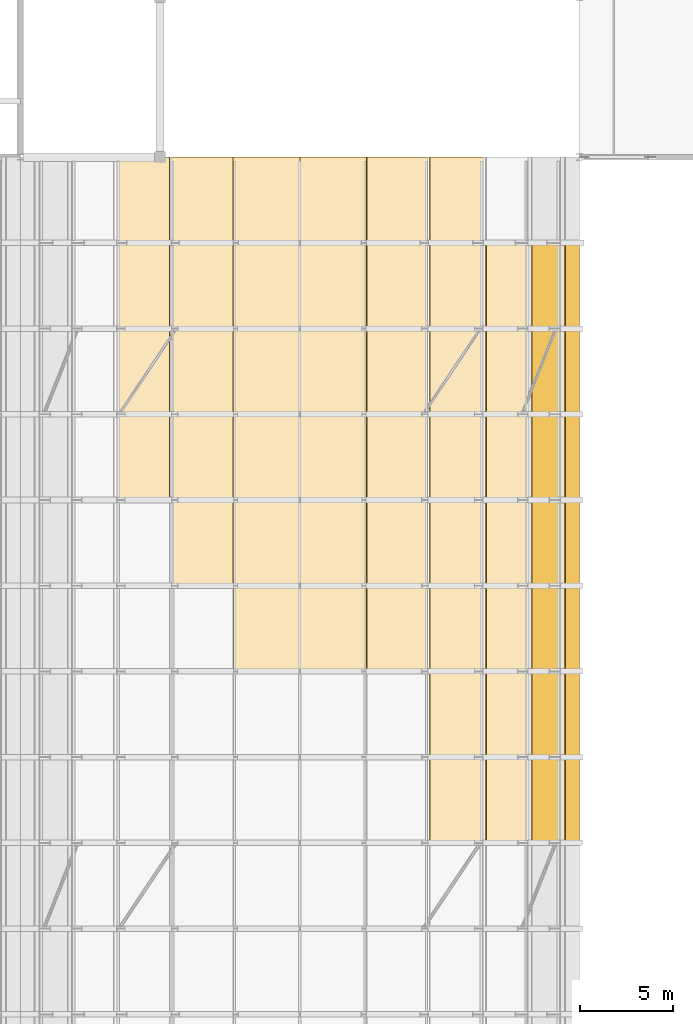
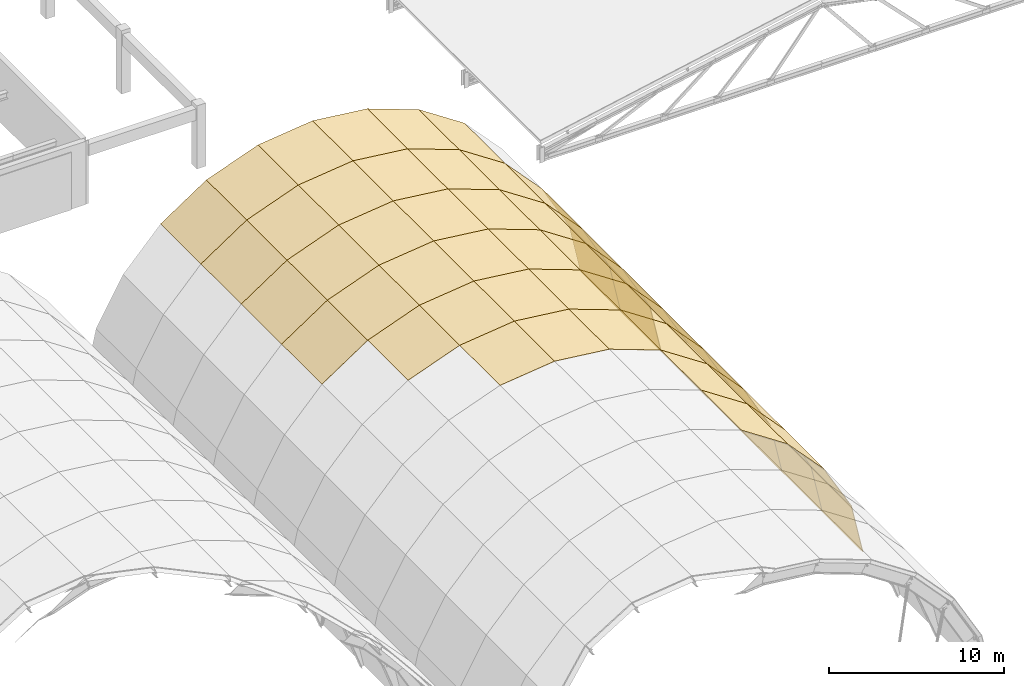
# One storey, part 46 of 47: 56 coverings.
"""IFC4 building model written with IfcOpenShell, lengths in metres."""

from ifc_helpers import new_model, si_unit, direction, frame, origin, place, context, subcontext, project, spatial, polyline, outline, extrude, material, layer, layer_set, type_object, element, save


model = new_model("IFC4")

# Units and contexts
model_context = context("Model", 3, precision=1e-05, world=origin(), true_north=direction((0.0, 1.0)))
body_context = subcontext(model_context, "Body", "Model", "MODEL_VIEW")
ifc_project = project(units=[si_unit("LENGTHUNIT", "METRE"), si_unit("AREAUNIT", "SQUARE_METRE"), si_unit("VOLUMEUNIT", "CUBIC_METRE"), si_unit("PLANEANGLEUNIT", "RADIAN"), si_unit("MASSUNIT", "GRAM", prefix="KILO")], contexts=[model_context])

# Site, building, storey
site_placement = place(None, origin())
site = spatial("IfcSite", under=ifc_project, at=site_placement, CompositionType="ELEMENT")
building_placement = place(site_placement, origin())
building = spatial("IfcBuilding", under=site, at=building_placement, Name="Muzn Square Opera House", CompositionType="ELEMENT")
storey_placement = place(building_placement, frame((0.0, 0.0, 31.0)))
storey = spatial("IfcBuildingStorey", under=building, at=storey_placement, Name="RF-1", CompositionType="ELEMENT", Elevation=31.0)

# Coverings
ifc_material = material(Name="Patina green copper-zinc standing seam", Category="metal")
ifc_layer = layer(ifc_material, 0.0400390625, Name="Patina green copper-zinc standing seam", Category="metal")
ifc_layer_set = layer_set([ifc_layer], Name="Patina green copper-zinc standing seam")
covering_type = type_object("IfcCoveringType", Name="Standing Seam Green Vault Roofing", PredefinedType="ROOFING", material=ifc_layer_set)
covering_1_placement = place(storey_placement, frame((124.994140625, 35.800048828125, -1.212158203125), z_axis=(0.553703965812, 0.0, 0.832713587162), x_axis=(0.832713587162, 0.0, -0.553703965812)))
element("IfcCovering", 1, at=covering_1_placement, inside=storey, type_object=covering_type, Name="Patina Green Standing Seam Vault Roofing V3-03-F08", PredefinedType="ROOFING", context=body_context, shape_type="SweptSolid", body=[
    extrude(outline(polyline([(0.0, 0.0), (3.620856877123484, 0.0), (3.620856877123484, 4.599853515625), (0.0, 4.599853515625), (0.0, 0.0)])), origin(), (0.0, 0.0, -1.0), 0.0400390625),
])
covering_2_placement = place(storey_placement, frame((128.00927734375, 35.800048828125, -3.217041015625), z_axis=(0.732233658575, 0.0, 0.68105349955), x_axis=(0.68105349955, 0.0, -0.732233658575)))
element("IfcCovering", 2, at=covering_2_placement, inside=storey, type_object=covering_type, Name="Patina Green Standing Seam Vault Roofing V3-03-F09", PredefinedType="ROOFING", context=body_context, shape_type="SweptSolid", body=[
    extrude(outline(polyline([(0.0, 0.0), (3.6205970810364114, 0.0), (3.6205970810364114, 4.599853515625), (0.0, 4.599853515625), (0.0, 0.0)])), origin(), (0.0, 0.0, -1.0), 0.0400390625),
])
covering_3_placement = place(storey_placement, frame((130.47509765625, 35.800048828125, -5.8681640625), z_axis=(0.870532696062, 0.0, 0.492110582174), x_axis=(0.492110582174, 0.0, -0.870532696062)))
element("IfcCovering", 3, at=covering_3_placement, inside=storey, type_object=covering_type, Name="Patina Green Standing Seam Vault Roofing V3-03-F10", PredefinedType="ROOFING", context=body_context, shape_type="SweptSolid", body=[
    extrude(outline(polyline([(0.0, 0.0), (3.620605501675236, 0.0), (3.620605501675236, 4.599853515625001), (0.0, 4.599853515625001), (0.0, 0.0)])), origin(), (0.0, 0.0, -1.0), 0.0400390625),
])
covering_4_placement = place(storey_placement, frame((132.2568359375, 35.800048828125, -9.02001953125), z_axis=(0.976986683404, 0.0, 0.213300305792), x_axis=(0.213300305792, 0.0, -0.976986683404)))
element("IfcCovering", 4, at=covering_4_placement, inside=storey, type_object=covering_type, Name="Patina Green Standing Seam Vault Roofing V3-03-F11", PredefinedType="ROOFING", context=body_context, shape_type="SweptSolid", body=[
    extrude(outline(polyline([(0.0, 0.0), (3.5619528166180294, 0.0), (3.5619528166180294, 4.599853515625001), (0.0, 4.599853515625001), (0.0, 0.0)])), origin(), (0.0, 0.0, -1.0), 0.0400390625),
])
covering_5_placement = place(storey_placement, frame((124.994140625, 40.39990234375, -1.212158203125), z_axis=(0.553703965812, 0.0, 0.832713587162), x_axis=(0.832713587162, 0.0, -0.553703965812)))
element("IfcCovering", 5, at=covering_5_placement, inside=storey, type_object=covering_type, Name="Patina Green Standing Seam Vault Roofing V3-04-F08", PredefinedType="ROOFING", context=body_context, shape_type="SweptSolid", body=[
    extrude(outline(polyline([(0.0, 0.0), (3.620856877123484, 0.0), (3.620856877123484, 4.60009765625), (0.0, 4.60009765625), (0.0, 0.0)])), origin(), (0.0, 0.0, -1.0), 0.0400390625),
])
covering_6_placement = place(storey_placement, frame((128.00927734375, 40.39990234375, -3.217041015625), z_axis=(0.732233658575, 0.0, 0.68105349955), x_axis=(0.68105349955, 0.0, -0.732233658575)))
element("IfcCovering", 6, at=covering_6_placement, inside=storey, type_object=covering_type, Name="Patina Green Standing Seam Vault Roofing V3-04-F09", PredefinedType="ROOFING", context=body_context, shape_type="SweptSolid", body=[
    extrude(outline(polyline([(0.0, 0.0), (3.6205970810364114, 0.0), (3.6205970810364114, 4.60009765625), (0.0, 4.60009765625), (0.0, 0.0)])), origin(), (0.0, 0.0, -1.0), 0.0400390625),
])
covering_7_placement = place(storey_placement, frame((130.47509765625, 40.39990234375, -5.8681640625), z_axis=(0.870532696062, 0.0, 0.492110582174), x_axis=(0.492110582174, 0.0, -0.870532696062)))
element("IfcCovering", 7, at=covering_7_placement, inside=storey, type_object=covering_type, Name="Patina Green Standing Seam Vault Roofing V3-04-F10", PredefinedType="ROOFING", context=body_context, shape_type="SweptSolid", body=[
    extrude(outline(polyline([(0.0, 0.0), (3.6206055016752363, 0.0), (3.6206055016752363, 4.60009765625), (0.0, 4.60009765625), (0.0, 0.0)])), origin(), (0.0, 0.0, -1.0), 0.0400390625),
])
covering_8_placement = place(storey_placement, frame((132.2568359375, 40.39990234375, -9.02001953125), z_axis=(0.976986683404, 0.0, 0.213300305792), x_axis=(0.213300305792, 0.0, -0.976986683404)))
element("IfcCovering", 8, at=covering_8_placement, inside=storey, type_object=covering_type, Name="Patina Green Standing Seam Vault Roofing V3-04-F11", PredefinedType="ROOFING", context=body_context, shape_type="SweptSolid", body=[
    extrude(outline(polyline([(0.0, 0.0), (3.5619528166180294, 0.0), (3.5619528166180294, 4.600097656249999), (0.0, 4.600097656249999), (0.0, 0.0)])), origin(), (0.0, 0.0, -1.0), 0.0400390625),
])
covering_9_placement = place(storey_placement, frame((118.0, 45.0, 0.4599609375), z_axis=(-0.116993830326, 0.0, 0.993132641527), x_axis=(0.0, 1.0, 0.0)))
element("IfcCovering", 9, at=covering_9_placement, inside=storey, type_object=covering_type, Name="Patina Green Standing Seam Vault Roofing V3-05-F05", PredefinedType="ROOFING", context=body_context, shape_type="SweptSolid", body=[
    extrude(outline(polyline([(0.0, 3.620566855473569), (0.0, 0.0), (4.60009765625, 0.0), (4.60009765625, 3.620566855473569), (0.0, 3.620566855473569)])), origin(), (0.0, 0.0, -1.0), 0.0400390625),
])
covering_10_placement = place(storey_placement, frame((118.0, 45.0, 0.4599609375), z_axis=(0.116993830326, 0.0, 0.993132641527), x_axis=(0.993132641527, 0.0, -0.116993830326)))
element("IfcCovering", 10, at=covering_10_placement, inside=storey, type_object=covering_type, Name="Patina Green Standing Seam Vault Roofing V3-05-F06", PredefinedType="ROOFING", context=body_context, shape_type="SweptSolid", body=[
    extrude(outline(polyline([(0.0, 0.0), (3.620566855473569, 0.0), (3.620566855473569, 4.60009765625), (0.0, 4.60009765625), (0.0, 0.0)])), origin(), (0.0, 0.0, -1.0), 0.0400390625),
])
covering_11_placement = place(storey_placement, frame((121.595703125, 45.0, 0.036376953125), z_axis=(0.344848988651, 0.0, 0.938658177947), x_axis=(0.938658177947, 0.0, -0.344848988651)))
element("IfcCovering", 11, at=covering_11_placement, inside=storey, type_object=covering_type, Name="Patina Green Standing Seam Vault Roofing V3-05-F07", PredefinedType="ROOFING", context=body_context, shape_type="SweptSolid", body=[
    extrude(outline(polyline([(0.0, 0.0), (3.6205272375440654, 0.0), (3.6205272375440654, 4.60009765625), (0.0, 4.60009765625), (0.0, 0.0)])), origin(), (0.0, 0.0, -1.0), 0.0400390625),
])
covering_12_placement = place(storey_placement, frame((124.994140625, 45.0, -1.212158203125), z_axis=(0.553703965812, 0.0, 0.832713587162), x_axis=(0.832713587162, 0.0, -0.553703965812)))
element("IfcCovering", 12, at=covering_12_placement, inside=storey, type_object=covering_type, Name="Patina Green Standing Seam Vault Roofing V3-05-F08", PredefinedType="ROOFING", context=body_context, shape_type="SweptSolid", body=[
    extrude(outline(polyline([(0.0, 0.0), (3.620856877123484, 0.0), (3.620856877123484, 4.60009765625), (0.0, 4.60009765625), (0.0, 0.0)])), origin(), (0.0, 0.0, -1.0), 0.0400390625),
])
covering_13_placement = place(storey_placement, frame((128.00927734375, 45.0, -3.217041015625), z_axis=(0.732233658575, 0.0, 0.68105349955), x_axis=(0.68105349955, 0.0, -0.732233658575)))
element("IfcCovering", 13, at=covering_13_placement, inside=storey, type_object=covering_type, Name="Patina Green Standing Seam Vault Roofing V3-05-F09", PredefinedType="ROOFING", context=body_context, shape_type="SweptSolid", body=[
    extrude(outline(polyline([(0.0, 0.0), (3.6205970810364114, 0.0), (3.6205970810364114, 4.60009765625), (0.0, 4.60009765625), (0.0, 0.0)])), origin(), (0.0, 0.0, -1.0), 0.0400390625),
])
covering_14_placement = place(storey_placement, frame((130.47509765625, 45.0, -5.8681640625), z_axis=(0.870532696062, 0.0, 0.492110582174), x_axis=(0.492110582174, 0.0, -0.870532696062)))
element("IfcCovering", 14, at=covering_14_placement, inside=storey, type_object=covering_type, Name="Patina Green Standing Seam Vault Roofing V3-05-F10", PredefinedType="ROOFING", context=body_context, shape_type="SweptSolid", body=[
    extrude(outline(polyline([(0.0, 0.0), (3.6206055016752363, 0.0), (3.6206055016752363, 4.60009765625), (0.0, 4.60009765625), (0.0, 0.0)])), origin(), (0.0, 0.0, -1.0), 0.0400390625),
])
covering_15_placement = place(storey_placement, frame((132.2568359375, 45.0, -9.02001953125), z_axis=(0.976986683404, 0.0, 0.213300305792), x_axis=(0.213300305792, 0.0, -0.976986683404)))
element("IfcCovering", 15, at=covering_15_placement, inside=storey, type_object=covering_type, Name="Patina Green Standing Seam Vault Roofing V3-05-F11", PredefinedType="ROOFING", context=body_context, shape_type="SweptSolid", body=[
    extrude(outline(polyline([(0.0, 0.0), (3.5619528166180294, 0.0), (3.5619528166180294, 4.600097656249999), (0.0, 4.600097656249999), (0.0, 0.0)])), origin(), (0.0, 0.0, -1.0), 0.0400390625),
])
covering_16_placement = place(storey_placement, frame((114.404296875, 49.60009765625, 0.036376953125), z_axis=(-0.344848988651, 0.0, 0.938658177947), x_axis=(0.0, 1.0, 0.0)))
element("IfcCovering", 16, at=covering_16_placement, inside=storey, type_object=covering_type, Name="Patina Green Standing Seam Vault Roofing V3-06-F04", PredefinedType="ROOFING", context=body_context, shape_type="SweptSolid", body=[
    extrude(outline(polyline([(0.0, 3.6205272375440662), (0.0, 0.0), (4.599853515625, 0.0), (4.599853515625, 3.6205272375440662), (0.0, 3.6205272375440662)])), origin(), (0.0, 0.0, -1.0), 0.0400390625),
])
covering_17_placement = place(storey_placement, frame((118.0, 49.60009765625, 0.4599609375), z_axis=(-0.116993830326, 0.0, 0.993132641527), x_axis=(0.0, 1.0, 0.0)))
element("IfcCovering", 17, at=covering_17_placement, inside=storey, type_object=covering_type, Name="Patina Green Standing Seam Vault Roofing V3-06-F05", PredefinedType="ROOFING", context=body_context, shape_type="SweptSolid", body=[
    extrude(outline(polyline([(0.0, 3.620566855473569), (0.0, 0.0), (4.599853515625, 0.0), (4.599853515625, 3.620566855473569), (0.0, 3.620566855473569)])), origin(), (0.0, 0.0, -1.0), 0.0400390625),
])
covering_18_placement = place(storey_placement, frame((118.0, 49.60009765625, 0.4599609375), z_axis=(0.116993830326, 0.0, 0.993132641527), x_axis=(0.993132641527, 0.0, -0.116993830326)))
element("IfcCovering", 18, at=covering_18_placement, inside=storey, type_object=covering_type, Name="Patina Green Standing Seam Vault Roofing V3-06-F06", PredefinedType="ROOFING", context=body_context, shape_type="SweptSolid", body=[
    extrude(outline(polyline([(0.0, 0.0), (3.620566855473569, 0.0), (3.620566855473569, 4.599853515625), (0.0, 4.599853515625), (0.0, 0.0)])), origin(), (0.0, 0.0, -1.0), 0.0400390625),
])
covering_19_placement = place(storey_placement, frame((121.595703125, 49.60009765625, 0.036376953125), z_axis=(0.344848988651, 0.0, 0.938658177947), x_axis=(0.938658177947, 0.0, -0.344848988651)))
element("IfcCovering", 19, at=covering_19_placement, inside=storey, type_object=covering_type, Name="Patina Green Standing Seam Vault Roofing V3-06-F07", PredefinedType="ROOFING", context=body_context, shape_type="SweptSolid", body=[
    extrude(outline(polyline([(0.0, 0.0), (3.620527237544066, 0.0), (3.620527237544066, 4.599853515625001), (0.0, 4.599853515625001), (0.0, 0.0)])), origin(), (0.0, 0.0, -1.0), 0.0400390625),
])
covering_20_placement = place(storey_placement, frame((124.994140625, 49.60009765625, -1.212158203125), z_axis=(0.553703965812, 0.0, 0.832713587162), x_axis=(0.832713587162, 0.0, -0.553703965812)))
element("IfcCovering", 20, at=covering_20_placement, inside=storey, type_object=covering_type, Name="Patina Green Standing Seam Vault Roofing V3-06-F08", PredefinedType="ROOFING", context=body_context, shape_type="SweptSolid", body=[
    extrude(outline(polyline([(0.0, 0.0), (3.620856877123484, 0.0), (3.620856877123484, 4.599853515625), (0.0, 4.599853515625), (0.0, 0.0)])), origin(), (0.0, 0.0, -1.0), 0.0400390625),
])
covering_21_placement = place(storey_placement, frame((128.00927734375, 49.60009765625, -3.217041015625), z_axis=(0.732233658575, 0.0, 0.68105349955), x_axis=(0.68105349955, 0.0, -0.732233658575)))
element("IfcCovering", 21, at=covering_21_placement, inside=storey, type_object=covering_type, Name="Patina Green Standing Seam Vault Roofing V3-06-F09", PredefinedType="ROOFING", context=body_context, shape_type="SweptSolid", body=[
    extrude(outline(polyline([(0.0, 0.0), (3.6205970810364114, 0.0), (3.6205970810364114, 4.599853515625), (0.0, 4.599853515625), (0.0, 0.0)])), origin(), (0.0, 0.0, -1.0), 0.0400390625),
])
covering_22_placement = place(storey_placement, frame((130.47509765625, 49.60009765625, -5.8681640625), z_axis=(0.870532696062, 0.0, 0.492110582174), x_axis=(0.492110582174, 0.0, -0.870532696062)))
element("IfcCovering", 22, at=covering_22_placement, inside=storey, type_object=covering_type, Name="Patina Green Standing Seam Vault Roofing V3-06-F10", PredefinedType="ROOFING", context=body_context, shape_type="SweptSolid", body=[
    extrude(outline(polyline([(0.0, 0.0), (3.620605501675236, 0.0), (3.620605501675236, 4.599853515625001), (0.0, 4.599853515625001), (0.0, 0.0)])), origin(), (0.0, 0.0, -1.0), 0.0400390625),
])
covering_23_placement = place(storey_placement, frame((132.2568359375, 49.60009765625, -9.02001953125), z_axis=(0.976986683404, 0.0, 0.213300305792), x_axis=(0.213300305792, 0.0, -0.976986683404)))
element("IfcCovering", 23, at=covering_23_placement, inside=storey, type_object=covering_type, Name="Patina Green Standing Seam Vault Roofing V3-06-F11", PredefinedType="ROOFING", context=body_context, shape_type="SweptSolid", body=[
    extrude(outline(polyline([(0.0, 0.0), (3.5619528166180294, 0.0), (3.5619528166180294, 4.599853515625001), (0.0, 4.599853515625001), (0.0, 0.0)])), origin(), (0.0, 0.0, -1.0), 0.0400390625),
])
covering_24_placement = place(storey_placement, frame((111.005859375, 54.199951171875, -1.212158203125), z_axis=(-0.553703965812, 0.0, 0.832713587162), x_axis=(0.0, 1.0, 0.0)))
element("IfcCovering", 24, at=covering_24_placement, inside=storey, type_object=covering_type, Name="Patina Green Standing Seam Vault Roofing V3-07-F03", PredefinedType="ROOFING", context=body_context, shape_type="SweptSolid", body=[
    extrude(outline(polyline([(0.0, 3.620856877123484), (0.0, 0.0), (4.60009765625, 0.0), (4.60009765625, 3.620856877123484), (0.0, 3.620856877123484)])), origin(), (0.0, 0.0, -1.0), 0.0400390625),
])
covering_25_placement = place(storey_placement, frame((114.404296875, 54.199951171875, 0.036376953125), z_axis=(-0.344848988651, 0.0, 0.938658177947), x_axis=(0.0, 1.0, 0.0)))
element("IfcCovering", 25, at=covering_25_placement, inside=storey, type_object=covering_type, Name="Patina Green Standing Seam Vault Roofing V3-07-F04", PredefinedType="ROOFING", context=body_context, shape_type="SweptSolid", body=[
    extrude(outline(polyline([(0.0, 3.6205272375440654), (0.0, 0.0), (4.60009765625, 0.0), (4.60009765625, 3.6205272375440654), (0.0, 3.6205272375440654)])), origin(), (0.0, 0.0, -1.0), 0.0400390625),
])
covering_26_placement = place(storey_placement, frame((118.0, 54.199951171875, 0.4599609375), z_axis=(-0.116993830326, 0.0, 0.993132641527), x_axis=(0.0, 1.0, 0.0)))
element("IfcCovering", 26, at=covering_26_placement, inside=storey, type_object=covering_type, Name="Patina Green Standing Seam Vault Roofing V3-07-F05", PredefinedType="ROOFING", context=body_context, shape_type="SweptSolid", body=[
    extrude(outline(polyline([(0.0, 3.620566855473569), (0.0, 0.0), (4.60009765625, 0.0), (4.60009765625, 3.620566855473569), (0.0, 3.620566855473569)])), origin(), (0.0, 0.0, -1.0), 0.0400390625),
])
covering_27_placement = place(storey_placement, frame((118.0, 54.199951171875, 0.4599609375), z_axis=(0.116993830326, 0.0, 0.993132641527), x_axis=(0.993132641527, 0.0, -0.116993830326)))
element("IfcCovering", 27, at=covering_27_placement, inside=storey, type_object=covering_type, Name="Patina Green Standing Seam Vault Roofing V3-07-F06", PredefinedType="ROOFING", context=body_context, shape_type="SweptSolid", body=[
    extrude(outline(polyline([(0.0, 0.0), (3.620566855473569, 0.0), (3.620566855473569, 4.60009765625), (0.0, 4.60009765625), (0.0, 0.0)])), origin(), (0.0, 0.0, -1.0), 0.0400390625),
])
covering_28_placement = place(storey_placement, frame((121.595703125, 54.199951171875, 0.036376953125), z_axis=(0.344848988651, 0.0, 0.938658177947), x_axis=(0.938658177947, 0.0, -0.344848988651)))
element("IfcCovering", 28, at=covering_28_placement, inside=storey, type_object=covering_type, Name="Patina Green Standing Seam Vault Roofing V3-07-F07", PredefinedType="ROOFING", context=body_context, shape_type="SweptSolid", body=[
    extrude(outline(polyline([(0.0, 0.0), (3.6205272375440654, 0.0), (3.6205272375440654, 4.60009765625), (0.0, 4.60009765625), (0.0, 0.0)])), origin(), (0.0, 0.0, -1.0), 0.0400390625),
])
covering_29_placement = place(storey_placement, frame((124.994140625, 54.199951171875, -1.212158203125), z_axis=(0.553703965812, 0.0, 0.832713587162), x_axis=(0.832713587162, 0.0, -0.553703965812)))
element("IfcCovering", 29, at=covering_29_placement, inside=storey, type_object=covering_type, Name="Patina Green Standing Seam Vault Roofing V3-07-F08", PredefinedType="ROOFING", context=body_context, shape_type="SweptSolid", body=[
    extrude(outline(polyline([(0.0, 0.0), (3.620856877123484, 0.0), (3.620856877123484, 4.60009765625), (0.0, 4.60009765625), (0.0, 0.0)])), origin(), (0.0, 0.0, -1.0), 0.0400390625),
])
covering_30_placement = place(storey_placement, frame((128.00927734375, 54.199951171875, -3.217041015625), z_axis=(0.732233658575, 0.0, 0.68105349955), x_axis=(0.68105349955, 0.0, -0.732233658575)))
element("IfcCovering", 30, at=covering_30_placement, inside=storey, type_object=covering_type, Name="Patina Green Standing Seam Vault Roofing V3-07-F09", PredefinedType="ROOFING", context=body_context, shape_type="SweptSolid", body=[
    extrude(outline(polyline([(0.0, 0.0), (3.6205970810364114, 0.0), (3.6205970810364114, 4.60009765625), (0.0, 4.60009765625), (0.0, 0.0)])), origin(), (0.0, 0.0, -1.0), 0.0400390625),
])
covering_31_placement = place(storey_placement, frame((130.47509765625, 54.199951171875, -5.8681640625), z_axis=(0.870532696062, 0.0, 0.492110582174), x_axis=(0.492110582174, 0.0, -0.870532696062)))
element("IfcCovering", 31, at=covering_31_placement, inside=storey, type_object=covering_type, Name="Patina Green Standing Seam Vault Roofing V3-07-F10", PredefinedType="ROOFING", context=body_context, shape_type="SweptSolid", body=[
    extrude(outline(polyline([(0.0, 0.0), (3.6206055016752363, 0.0), (3.6206055016752363, 4.60009765625), (0.0, 4.60009765625), (0.0, 0.0)])), origin(), (0.0, 0.0, -1.0), 0.0400390625),
])
covering_32_placement = place(storey_placement, frame((132.2568359375, 54.199951171875, -9.02001953125), z_axis=(0.976986683404, 0.0, 0.213300305792), x_axis=(0.213300305792, 0.0, -0.976986683404)))
element("IfcCovering", 32, at=covering_32_placement, inside=storey, type_object=covering_type, Name="Patina Green Standing Seam Vault Roofing V3-07-F11", PredefinedType="ROOFING", context=body_context, shape_type="SweptSolid", body=[
    extrude(outline(polyline([(0.0, 0.0), (3.5619528166180294, 0.0), (3.5619528166180294, 4.600097656249999), (0.0, 4.600097656249999), (0.0, 0.0)])), origin(), (0.0, 0.0, -1.0), 0.0400390625),
])
covering_33_placement = place(storey_placement, frame((111.005859375, 58.800048828125, -1.212158203125), z_axis=(-0.553703965812, 0.0, 0.832713587162), x_axis=(0.0, 1.0, 0.0)))
element("IfcCovering", 33, at=covering_33_placement, inside=storey, type_object=covering_type, Name="Patina Green Standing Seam Vault Roofing V3-08-F03", PredefinedType="ROOFING", context=body_context, shape_type="SweptSolid", body=[
    extrude(outline(polyline([(0.0, 3.620856877123484), (0.0, 0.0), (4.599853515625, 0.0), (4.599853515625, 3.620856877123484), (0.0, 3.620856877123484)])), origin(), (0.0, 0.0, -1.0), 0.0400390625),
])
covering_34_placement = place(storey_placement, frame((114.404296875, 58.800048828125, 0.036376953125), z_axis=(-0.344848988651, 0.0, 0.938658177947), x_axis=(0.0, 1.0, 0.0)))
element("IfcCovering", 34, at=covering_34_placement, inside=storey, type_object=covering_type, Name="Patina Green Standing Seam Vault Roofing V3-08-F04", PredefinedType="ROOFING", context=body_context, shape_type="SweptSolid", body=[
    extrude(outline(polyline([(0.0, 3.6205272375440662), (0.0, 0.0), (4.599853515625, 0.0), (4.599853515625, 3.6205272375440662), (0.0, 3.6205272375440662)])), origin(), (0.0, 0.0, -1.0), 0.0400390625),
])
covering_35_placement = place(storey_placement, frame((118.0, 58.800048828125, 0.4599609375), z_axis=(-0.116993830326, 0.0, 0.993132641527), x_axis=(0.0, 1.0, 0.0)))
element("IfcCovering", 35, at=covering_35_placement, inside=storey, type_object=covering_type, Name="Patina Green Standing Seam Vault Roofing V3-08-F05", PredefinedType="ROOFING", context=body_context, shape_type="SweptSolid", body=[
    extrude(outline(polyline([(0.0, 3.620566855473569), (0.0, 0.0), (4.599853515625, 0.0), (4.599853515625, 3.620566855473569), (0.0, 3.620566855473569)])), origin(), (0.0, 0.0, -1.0), 0.0400390625),
])
covering_36_placement = place(storey_placement, frame((118.0, 58.800048828125, 0.4599609375), z_axis=(0.116993830326, 0.0, 0.993132641527), x_axis=(0.993132641527, 0.0, -0.116993830326)))
element("IfcCovering", 36, at=covering_36_placement, inside=storey, type_object=covering_type, Name="Patina Green Standing Seam Vault Roofing V3-08-F06", PredefinedType="ROOFING", context=body_context, shape_type="SweptSolid", body=[
    extrude(outline(polyline([(0.0, 0.0), (3.620566855473569, 0.0), (3.620566855473569, 4.599853515625), (0.0, 4.599853515625), (0.0, 0.0)])), origin(), (0.0, 0.0, -1.0), 0.0400390625),
])
covering_37_placement = place(storey_placement, frame((121.595703125, 58.800048828125, 0.036376953125), z_axis=(0.344848988651, 0.0, 0.938658177947), x_axis=(0.938658177947, 0.0, -0.344848988651)))
element("IfcCovering", 37, at=covering_37_placement, inside=storey, type_object=covering_type, Name="Patina Green Standing Seam Vault Roofing V3-08-F07", PredefinedType="ROOFING", context=body_context, shape_type="SweptSolid", body=[
    extrude(outline(polyline([(0.0, 0.0), (3.620527237544066, 0.0), (3.620527237544066, 4.599853515625001), (0.0, 4.599853515625001), (0.0, 0.0)])), origin(), (0.0, 0.0, -1.0), 0.0400390625),
])
covering_38_placement = place(storey_placement, frame((124.994140625, 58.800048828125, -1.212158203125), z_axis=(0.553703965812, 0.0, 0.832713587162), x_axis=(0.832713587162, 0.0, -0.553703965812)))
element("IfcCovering", 38, at=covering_38_placement, inside=storey, type_object=covering_type, Name="Patina Green Standing Seam Vault Roofing V3-08-F08", PredefinedType="ROOFING", context=body_context, shape_type="SweptSolid", body=[
    extrude(outline(polyline([(0.0, 0.0), (3.620856877123484, 0.0), (3.620856877123484, 4.599853515625), (0.0, 4.599853515625), (0.0, 0.0)])), origin(), (0.0, 0.0, -1.0), 0.0400390625),
])
covering_39_placement = place(storey_placement, frame((128.00927734375, 58.800048828125, -3.217041015625), z_axis=(0.732233658575, 0.0, 0.68105349955), x_axis=(0.68105349955, 0.0, -0.732233658575)))
element("IfcCovering", 39, at=covering_39_placement, inside=storey, type_object=covering_type, Name="Patina Green Standing Seam Vault Roofing V3-08-F09", PredefinedType="ROOFING", context=body_context, shape_type="SweptSolid", body=[
    extrude(outline(polyline([(0.0, 0.0), (3.6205970810364114, 0.0), (3.6205970810364114, 4.599853515625), (0.0, 4.599853515625), (0.0, 0.0)])), origin(), (0.0, 0.0, -1.0), 0.0400390625),
])
covering_40_placement = place(storey_placement, frame((130.47509765625, 58.800048828125, -5.8681640625), z_axis=(0.870532696062, 0.0, 0.492110582174), x_axis=(0.492110582174, 0.0, -0.870532696062)))
element("IfcCovering", 40, at=covering_40_placement, inside=storey, type_object=covering_type, Name="Patina Green Standing Seam Vault Roofing V3-08-F10", PredefinedType="ROOFING", context=body_context, shape_type="SweptSolid", body=[
    extrude(outline(polyline([(0.0, 0.0), (3.620605501675236, 0.0), (3.620605501675236, 4.599853515625001), (0.0, 4.599853515625001), (0.0, 0.0)])), origin(), (0.0, 0.0, -1.0), 0.0400390625),
])
covering_41_placement = place(storey_placement, frame((132.2568359375, 58.800048828125, -9.02001953125), z_axis=(0.976986683404, 0.0, 0.213300305792), x_axis=(0.213300305792, 0.0, -0.976986683404)))
element("IfcCovering", 41, at=covering_41_placement, inside=storey, type_object=covering_type, Name="Patina Green Standing Seam Vault Roofing V3-08-F11", PredefinedType="ROOFING", context=body_context, shape_type="SweptSolid", body=[
    extrude(outline(polyline([(0.0, 0.0), (3.5619528166180294, 0.0), (3.5619528166180294, 4.599853515625001), (0.0, 4.599853515625001), (0.0, 0.0)])), origin(), (0.0, 0.0, -1.0), 0.0400390625),
])
covering_42_placement = place(storey_placement, frame((111.005859375, 63.39990234375, -1.212158203125), z_axis=(-0.553703965812, 0.0, 0.832713587162), x_axis=(0.0, 1.0, 0.0)))
element("IfcCovering", 42, at=covering_42_placement, inside=storey, type_object=covering_type, Name="Patina Green Standing Seam Vault Roofing V3-09-F03", PredefinedType="ROOFING", context=body_context, shape_type="SweptSolid", body=[
    extrude(outline(polyline([(0.0, 3.620856877123484), (0.0, 0.0), (4.60009765625, 0.0), (4.60009765625, 3.620856877123484), (0.0, 3.620856877123484)])), origin(), (0.0, 0.0, -1.0), 0.0400390625),
])
covering_43_placement = place(storey_placement, frame((114.404296875, 63.39990234375, 0.036376953125), z_axis=(-0.344848988651, 0.0, 0.938658177947), x_axis=(0.0, 1.0, 0.0)))
element("IfcCovering", 43, at=covering_43_placement, inside=storey, type_object=covering_type, Name="Patina Green Standing Seam Vault Roofing V3-09-F04", PredefinedType="ROOFING", context=body_context, shape_type="SweptSolid", body=[
    extrude(outline(polyline([(0.0, 3.6205272375440654), (0.0, 0.0), (4.60009765625, 0.0), (4.60009765625, 3.6205272375440654), (0.0, 3.6205272375440654)])), origin(), (0.0, 0.0, -1.0), 0.0400390625),
])
covering_44_placement = place(storey_placement, frame((118.0, 63.39990234375, 0.4599609375), z_axis=(-0.116993830326, 0.0, 0.993132641527), x_axis=(0.0, 1.0, 0.0)))
element("IfcCovering", 44, at=covering_44_placement, inside=storey, type_object=covering_type, Name="Patina Green Standing Seam Vault Roofing V3-09-F05", PredefinedType="ROOFING", context=body_context, shape_type="SweptSolid", body=[
    extrude(outline(polyline([(0.0, 3.620566855473569), (0.0, 0.0), (4.60009765625, 0.0), (4.60009765625, 3.620566855473569), (0.0, 3.620566855473569)])), origin(), (0.0, 0.0, -1.0), 0.0400390625),
])
covering_45_placement = place(storey_placement, frame((118.0, 63.39990234375, 0.4599609375), z_axis=(0.116993830326, 0.0, 0.993132641527), x_axis=(0.993132641527, 0.0, -0.116993830326)))
element("IfcCovering", 45, at=covering_45_placement, inside=storey, type_object=covering_type, Name="Patina Green Standing Seam Vault Roofing V3-09-F06", PredefinedType="ROOFING", context=body_context, shape_type="SweptSolid", body=[
    extrude(outline(polyline([(0.0, 0.0), (3.620566855473569, 0.0), (3.620566855473569, 4.60009765625), (0.0, 4.60009765625), (0.0, 0.0)])), origin(), (0.0, 0.0, -1.0), 0.0400390625),
])
covering_46_placement = place(storey_placement, frame((121.595703125, 63.39990234375, 0.036376953125), z_axis=(0.344848988651, 0.0, 0.938658177947), x_axis=(0.938658177947, 0.0, -0.344848988651)))
element("IfcCovering", 46, at=covering_46_placement, inside=storey, type_object=covering_type, Name="Patina Green Standing Seam Vault Roofing V3-09-F07", PredefinedType="ROOFING", context=body_context, shape_type="SweptSolid", body=[
    extrude(outline(polyline([(0.0, 0.0), (3.6205272375440654, 0.0), (3.6205272375440654, 4.60009765625), (0.0, 4.60009765625), (0.0, 0.0)])), origin(), (0.0, 0.0, -1.0), 0.0400390625),
])
covering_47_placement = place(storey_placement, frame((124.994140625, 63.39990234375, -1.212158203125), z_axis=(0.553703965812, 0.0, 0.832713587162), x_axis=(0.832713587162, 0.0, -0.553703965812)))
element("IfcCovering", 47, at=covering_47_placement, inside=storey, type_object=covering_type, Name="Patina Green Standing Seam Vault Roofing V3-09-F08", PredefinedType="ROOFING", context=body_context, shape_type="SweptSolid", body=[
    extrude(outline(polyline([(0.0, 0.0), (3.620856877123484, 0.0), (3.620856877123484, 4.60009765625), (0.0, 4.60009765625), (0.0, 0.0)])), origin(), (0.0, 0.0, -1.0), 0.0400390625),
])
covering_48_placement = place(storey_placement, frame((128.00927734375, 63.39990234375, -3.217041015625), z_axis=(0.732233658575, 0.0, 0.68105349955), x_axis=(0.68105349955, 0.0, -0.732233658575)))
element("IfcCovering", 48, at=covering_48_placement, inside=storey, type_object=covering_type, Name="Patina Green Standing Seam Vault Roofing V3-09-F09", PredefinedType="ROOFING", context=body_context, shape_type="SweptSolid", body=[
    extrude(outline(polyline([(0.0, 0.0), (3.6205970810364114, 0.0), (3.6205970810364114, 4.60009765625), (0.0, 4.60009765625), (0.0, 0.0)])), origin(), (0.0, 0.0, -1.0), 0.0400390625),
])
covering_49_placement = place(storey_placement, frame((130.47509765625, 63.39990234375, -5.8681640625), z_axis=(0.870532696062, 0.0, 0.492110582174), x_axis=(0.492110582174, 0.0, -0.870532696062)))
element("IfcCovering", 49, at=covering_49_placement, inside=storey, type_object=covering_type, Name="Patina Green Standing Seam Vault Roofing V3-09-F10", PredefinedType="ROOFING", context=body_context, shape_type="SweptSolid", body=[
    extrude(outline(polyline([(0.0, 0.0), (3.6206055016752363, 0.0), (3.6206055016752363, 4.60009765625), (0.0, 4.60009765625), (0.0, 0.0)])), origin(), (0.0, 0.0, -1.0), 0.0400390625),
])
covering_50_placement = place(storey_placement, frame((132.2568359375, 63.39990234375, -9.02001953125), z_axis=(0.976986683404, 0.0, 0.213300305792), x_axis=(0.213300305792, 0.0, -0.976986683404)))
element("IfcCovering", 50, at=covering_50_placement, inside=storey, type_object=covering_type, Name="Patina Green Standing Seam Vault Roofing V3-09-F11", PredefinedType="ROOFING", context=body_context, shape_type="SweptSolid", body=[
    extrude(outline(polyline([(0.0, 0.0), (3.5619528166180294, 0.0), (3.5619528166180294, 4.600097656249999), (0.0, 4.600097656249999), (0.0, 0.0)])), origin(), (0.0, 0.0, -1.0), 0.0400390625),
])
covering_51_placement = place(storey_placement, frame((111.005859375, 68.0, -1.212158203125), z_axis=(-0.553703965812, 0.0, 0.832713587162), x_axis=(0.0, 1.0, 0.0)))
element("IfcCovering", 51, at=covering_51_placement, inside=storey, type_object=covering_type, Name="Patina Green Standing Seam Vault Roofing V3-10-F03", PredefinedType="ROOFING", context=body_context, shape_type="SweptSolid", body=[
    extrude(outline(polyline([(0.0, 3.620856877123484), (0.0, 0.0), (4.60009765625, 0.0), (4.60009765625, 3.620856877123484), (0.0, 3.620856877123484)])), origin(), (0.0, 0.0, -1.0), 0.0400390625),
])
covering_52_placement = place(storey_placement, frame((114.404296875, 68.0, 0.036376953125), z_axis=(-0.344848988651, 0.0, 0.938658177947), x_axis=(0.0, 1.0, 0.0)))
element("IfcCovering", 52, at=covering_52_placement, inside=storey, type_object=covering_type, Name="Patina Green Standing Seam Vault Roofing V3-10-F04", PredefinedType="ROOFING", context=body_context, shape_type="SweptSolid", body=[
    extrude(outline(polyline([(0.0, 3.6205272375440654), (0.0, 0.0), (4.60009765625, 0.0), (4.60009765625, 3.6205272375440654), (0.0, 3.6205272375440654)])), origin(), (0.0, 0.0, -1.0), 0.0400390625),
])
covering_53_placement = place(storey_placement, frame((118.0, 68.0, 0.4599609375), z_axis=(-0.116993830326, 0.0, 0.993132641527), x_axis=(0.0, 1.0, 0.0)))
element("IfcCovering", 53, at=covering_53_placement, inside=storey, type_object=covering_type, Name="Patina Green Standing Seam Vault Roofing V3-10-F05", PredefinedType="ROOFING", context=body_context, shape_type="SweptSolid", body=[
    extrude(outline(polyline([(0.0, 3.620566855473569), (0.0, 0.0), (4.60009765625, 0.0), (4.60009765625, 3.620566855473569), (0.0, 3.620566855473569)])), origin(), (0.0, 0.0, -1.0), 0.0400390625),
])
covering_54_placement = place(storey_placement, frame((118.0, 68.0, 0.4599609375), z_axis=(0.116993830326, 0.0, 0.993132641527), x_axis=(0.993132641527, 0.0, -0.116993830326)))
element("IfcCovering", 54, at=covering_54_placement, inside=storey, type_object=covering_type, Name="Patina Green Standing Seam Vault Roofing V3-10-F06", PredefinedType="ROOFING", context=body_context, shape_type="SweptSolid", body=[
    extrude(outline(polyline([(0.0, 0.0), (3.620566855473569, 0.0), (3.620566855473569, 4.60009765625), (0.0, 4.60009765625), (0.0, 0.0)])), origin(), (0.0, 0.0, -1.0), 0.0400390625),
])
covering_55_placement = place(storey_placement, frame((121.595703125, 68.0, 0.036376953125), z_axis=(0.344848988651, 0.0, 0.938658177947), x_axis=(0.938658177947, 0.0, -0.344848988651)))
element("IfcCovering", 55, at=covering_55_placement, inside=storey, type_object=covering_type, Name="Patina Green Standing Seam Vault Roofing V3-10-F07", PredefinedType="ROOFING", context=body_context, shape_type="SweptSolid", body=[
    extrude(outline(polyline([(0.0, 0.0), (3.6205272375440654, 0.0), (3.6205272375440654, 4.60009765625), (0.0, 4.60009765625), (0.0, 0.0)])), origin(), (0.0, 0.0, -1.0), 0.0400390625),
])
covering_56_placement = place(storey_placement, frame((124.994140625, 68.0, -1.212158203125), z_axis=(0.553703965812, 0.0, 0.832713587162), x_axis=(0.832713587162, 0.0, -0.553703965812)))
element("IfcCovering", 56, at=covering_56_placement, inside=storey, type_object=covering_type, Name="Patina Green Standing Seam Vault Roofing V3-10-F08", PredefinedType="ROOFING", context=body_context, shape_type="SweptSolid", body=[
    extrude(outline(polyline([(0.0, 0.0), (3.620856877123484, 0.0), (3.620856877123484, 4.60009765625), (0.0, 4.60009765625), (0.0, 0.0)])), origin(), (0.0, 0.0, -1.0), 0.0400390625),
])

save(model, "model.ifc")
